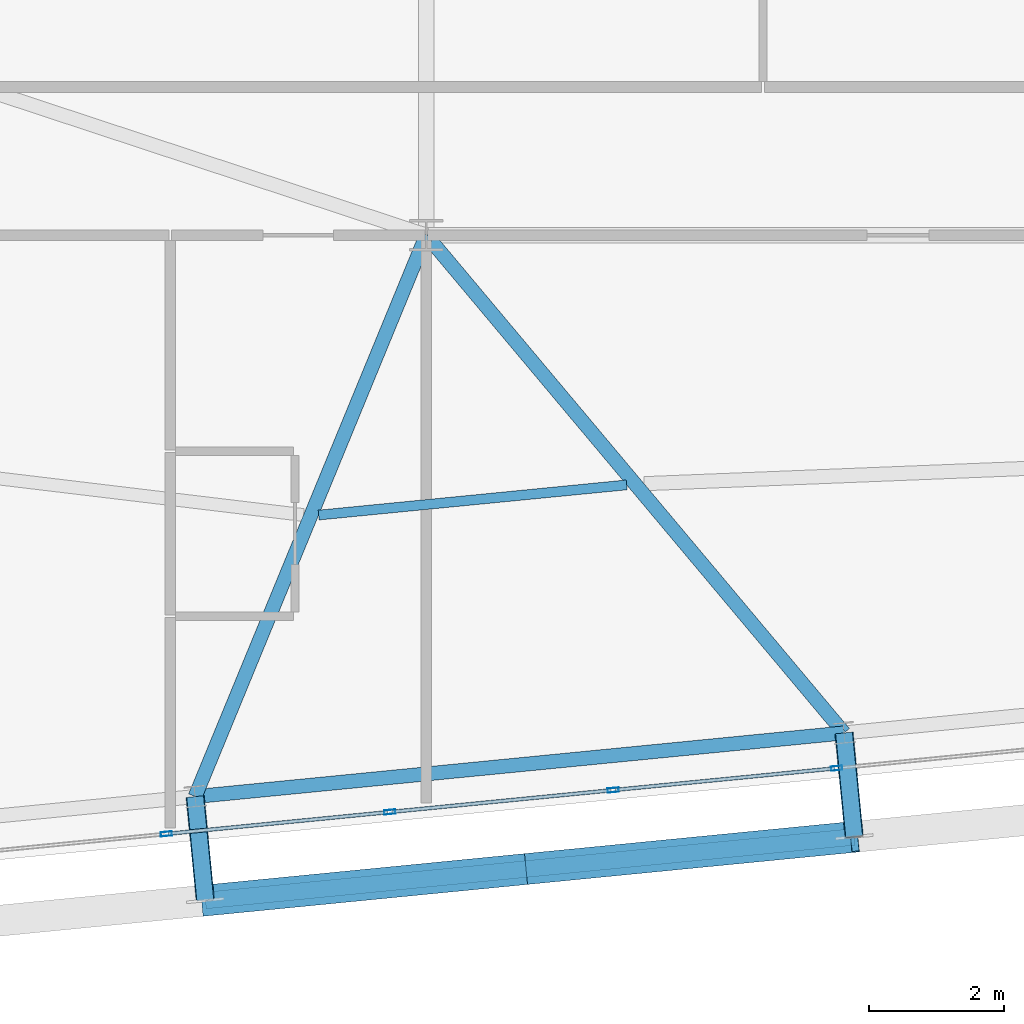
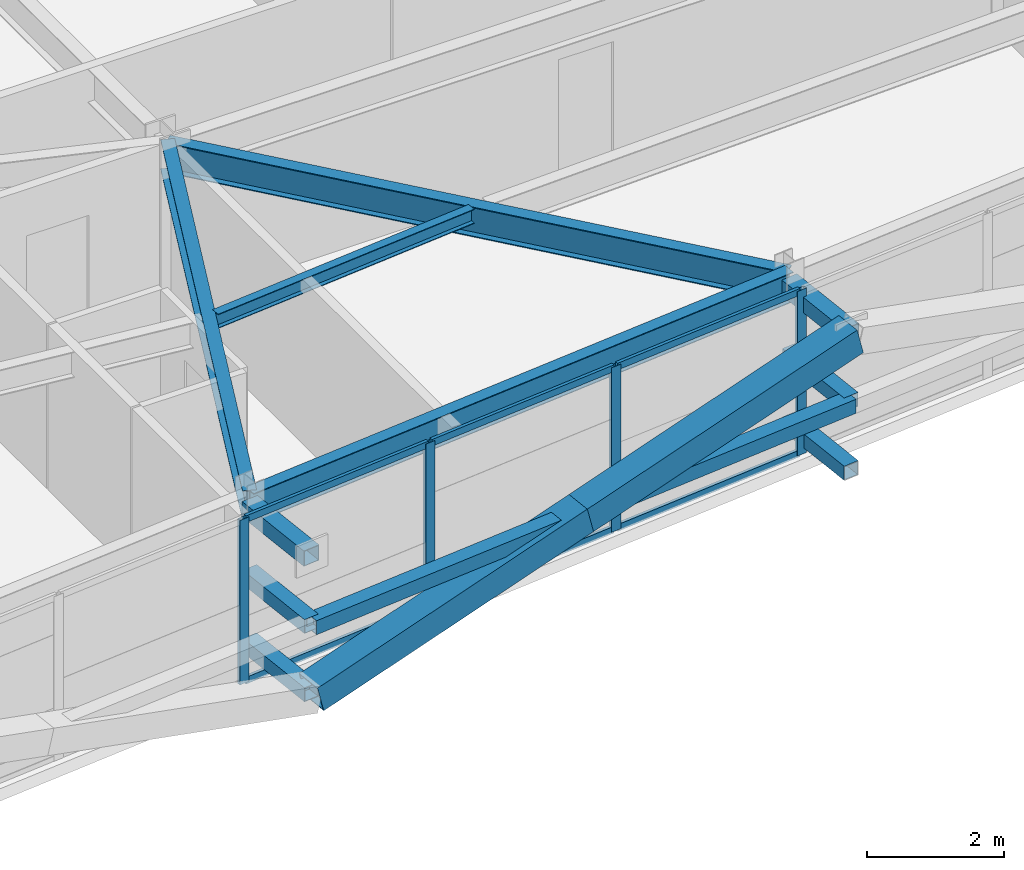
# One storey, part 10 of 53: 19 members, 4 beams, 1 element without a shape of its own.
"""IFC4 building model written with IfcOpenShell, lengths in metres."""

from ifc_helpers import new_model, si_unit, direction, frame, origin, origin_2d, place, context, subcontext, project, spatial, hollow_rectangle, i_section, extrude, source, transform, mapped, material, layer, layer_set, material_profile, profile_set, type_object, element, aggregate, save


model = new_model("IFC4")

# Units and contexts
model_context = context("Model", 3, precision=1e-05, world=origin(), true_north=direction((0.0, 1.0)))
body_context = subcontext(model_context, "Body", "Model", "MODEL_VIEW")
ifc_project = project(units=[si_unit("LENGTHUNIT", "METRE"), si_unit("AREAUNIT", "SQUARE_METRE"), si_unit("VOLUMEUNIT", "CUBIC_METRE"), si_unit("PLANEANGLEUNIT", "RADIAN"), si_unit("MASSUNIT", "GRAM", prefix="KILO")], contexts=[model_context])

# Site, building, storey
site_placement = place(None, origin())
site = spatial("IfcSite", under=ifc_project, at=site_placement, CompositionType="ELEMENT")
building_placement = place(site_placement, origin())
building = spatial("IfcBuilding", under=site, at=building_placement, Name="Taldren Reach Tower", CompositionType="ELEMENT")
storey_placement = place(building_placement, frame((0.0, 0.0, 84.0)))
storey = spatial("IfcBuildingStorey", under=building, at=storey_placement, Name="L25", CompositionType="ELEMENT", Elevation=84.0)

# Beams
ifc_material_1 = material(Name="Steel Gr 350 (350PLUS)", Category="steel")
ifc_material_profile_1 = material_profile(ifc_material_1, i_section(OverallWidth=0.208984375, OverallDepth=0.528076171875, WebThickness=0.009521484375, FlangeThickness=0.01318359375, at=origin_2d()), Name="530UB82.0")
ifc_profile_set_1 = profile_set([ifc_material_profile_1], Name="Steel Gr 350 (350PLUS)")
beam_type_1 = type_object("IfcBeamType", Name="SP-UB530B", PredefinedType="SPANDREL", material=ifc_profile_set_1)
shared_shape_1 = source(origin(), body_context, "Body", "SweptSolid", [
    extrude(i_section(OverallWidth=0.208984375, OverallDepth=0.528076171875, WebThickness=0.009521484375, FlangeThickness=0.01318359375, at=origin_2d()), origin(), (0.0, 0.0, 1.0), 9.679931640625),
])
beam_1_placement = place(storey_placement, frame((24.56787109375, 0.86474609375, 2.666015625), z_axis=(0.995227612658, 0.097580730699, 0.0), x_axis=(-0.097580730699, 0.995227612658, 0.0)))
element("IfcBeam", 1, at=beam_1_placement, inside=storey, type_object=beam_type_1, Name="Perimeter spandrel B2 S2-S3 L25", PredefinedType="SPANDREL", context=body_context, shape_type="MappedRepresentation", body=[
    mapped(shared_shape_1, transform((0.0, 0.0, 0.0), scale=1.0)),
])
ifc_material_profile_2 = material_profile(ifc_material_1, i_section(OverallWidth=0.208984375, OverallDepth=0.532958984375, WebThickness=0.01025390625, FlangeThickness=0.015625, at=origin_2d()), Name="530UB92.4")
ifc_profile_set_2 = profile_set([ifc_material_profile_2], Name="Steel Gr 350 (350PLUS)")
beam_type_2 = type_object("IfcBeamType", Name="BM-UB530A", PredefinedType="BEAM", material=ifc_profile_set_2)
shared_shape_2 = source(origin(), body_context, "Body", "SweptSolid", [
    extrude(i_section(OverallWidth=0.208984375, OverallDepth=0.532958984375, WebThickness=0.01025390625, FlangeThickness=0.015625, at=origin_2d()), origin(), (0.0, 0.0, 1.0), 9.01416015625),
])
beam_2_placement = place(storey_placement, frame((28.0, 9.199951171875, 2.66357421875), z_axis=(-0.380748443035, -0.924678659387, 0.0), x_axis=(0.924678659387, -0.380748443035, 0.0)))
element("IfcBeam", 2, at=beam_2_placement, inside=storey, type_object=beam_type_2, Name="Primary floor girder B2-S2 L25", PredefinedType="BEAM", context=body_context, shape_type="MappedRepresentation", body=[
    mapped(shared_shape_2, transform((0.0, 0.0, 0.0), scale=1.0)),
])
shared_shape_3 = source(origin(), body_context, "Body", "SweptSolid", [
    extrude(i_section(OverallWidth=0.208984375, OverallDepth=0.532958984375, WebThickness=0.01025390625, FlangeThickness=0.015625, at=origin_2d()), origin(), (0.0, 0.0, 1.0), 9.64794921875),
])
beam_3_placement = place(storey_placement, frame((28.0, 9.199951171875, 2.66357421875), z_axis=(0.642799132398, -0.766034774268, 0.0), x_axis=(0.766034774268, 0.642799132398, 0.0)))
element("IfcBeam", 3, at=beam_3_placement, inside=storey, type_object=beam_type_2, Name="Primary floor girder B2-S3 L25", PredefinedType="BEAM", context=body_context, shape_type="MappedRepresentation", body=[
    mapped(shared_shape_3, transform((0.0, 0.0, 0.0), scale=1.0)),
])
ifc_material_2 = material(Name="Steel Gr 300 (300PLUS, 300 MPa)", Category="steel")
ifc_material_profile_3 = material_profile(ifc_material_2, i_section(OverallWidth=0.14599609375, OverallDepth=0.256103515625, WebThickness=0.00634765625, FlangeThickness=0.010986328125, at=origin_2d()), Name="250UB37.3")
ifc_profile_set_3 = profile_set([ifc_material_profile_3], Name="Steel Gr 300 (300PLUS, 300 MPa)")
beam_type_3 = type_object("IfcBeamType", Name="JS-UB250", PredefinedType="JOIST", material=ifc_profile_set_3)
shared_shape_4 = source(origin(), body_context, "Body", "SweptSolid", [
    extrude(i_section(OverallWidth=0.14599609375, OverallDepth=0.256103515625, WebThickness=0.00634765625, FlangeThickness=0.010986328125, at=origin_2d()), origin(), (0.0, 0.0, 1.0), 4.594970703125),
])
beam_4_placement = place(storey_placement, frame((26.40185546875, 5.0439453125, 2.802001953125), z_axis=(0.995230447096, 0.097551817888, 0.0), x_axis=(-0.097551817888, 0.995230447096, 0.0)))
element("IfcBeam", 4, at=beam_4_placement, inside=storey, type_object=beam_type_3, Name="Secondary floor joist B2 J2 L25", PredefinedType="JOIST", context=body_context, shape_type="MappedRepresentation", body=[
    mapped(shared_shape_4, transform((0.0, 0.0, 0.0), scale=1.0)),
])

# Members
ifc_material_3 = material(Name="Steel Gr 450 (C450L0)", Category="steel")
ifc_material_profile_4 = material_profile(ifc_material_3, hollow_rectangle(XDim=0.27490234375, YDim=0.27490234375, WallThickness=0.00927734375, at=origin_2d()), Name="275x275x9.3SHS")
ifc_profile_set_4 = profile_set([ifc_material_profile_4], Name="Steel Gr 450 (C450L0)")
member_type_1 = type_object("IfcMemberType", Name="MB-TIE273", PredefinedType="STRUT", material=ifc_profile_set_4)
shared_shape_5 = source(origin(), body_context, "Body", "SweptSolid", [
    extrude(hollow_rectangle(XDim=0.27490234375, YDim=0.27490234375, WallThickness=0.00927734375, at=origin_2d()), origin(), (0.0, 0.0, 1.0), 1.550048828125),
])
for number, where, z_axis, x_axis, name in (
    (5, (24.56787109375, 0.86474609375, 2.64990234375), (0.097647892962, -0.9952210252, 0.0), (0.9952210252, 0.097647892962, 0.0), "Exoskeleton diaphragm tie strut B2-S2 L25"),
    (6, (34.20166015625, 1.809326171875, 2.64990234375), (0.097647892962, -0.9952210252, 0.0), (0.9952210252, 0.097647892962, 0.0), "Exoskeleton diaphragm tie strut B2-S3 L25"),
):
    element("IfcMember", number, at=place(storey_placement, frame(where, z_axis=z_axis, x_axis=x_axis)), inside=storey, type_object=member_type_1, Name=name, PredefinedType="STRUT", context=body_context, shape_type="MappedRepresentation", body=[
        mapped(shared_shape_5, transform((0.0, 0.0, 0.0), scale=1.0)),
    ])
ifc_material_profile_5 = material_profile(ifc_material_3, hollow_rectangle(XDim=0.4599609375, YDim=0.4599609375, WallThickness=0.01611328125, at=origin_2d()), Name="460x460x16.0SHS")
ifc_profile_set_5 = profile_set([ifc_material_profile_5], Name="Steel Gr 450 (C450L0)")
member_type_2 = type_object("IfcMemberType", Name="MB-EXO457", PredefinedType="BRACE", material=ifc_profile_set_5)
shared_shape_6 = source(origin(), body_context, "Body", "SweptSolid", [
    extrude(hollow_rectangle(XDim=0.4599609375, YDim=0.4599609375, WallThickness=0.01611328125, at=origin_2d()), origin(), (0.0, 0.0, 1.0), 4.990234375),
])
for number, where, z_axis, x_axis, name in (
    (7, (24.71923828125, -0.677978515625, 0.219970703125), (0.965271056716, 0.094667992638, 0.243494883389), (-0.097605711627, 0.995225162995, 0.0), "Exoskeleton Diagrid Brace B2-S2 L25"),
    (8, (29.5361328125, -0.20556640625, 1.43505859375), (0.965287024526, 0.094620633828, 0.24344998652), (-0.097555749586, 0.995230061706, 0.0), "Exoskeleton Diagrid Brace B2-S2 L25"),
):
    element("IfcMember", number, at=place(storey_placement, frame(where, z_axis=z_axis, x_axis=x_axis)), inside=storey, type_object=member_type_2, Name=name, PredefinedType="BRACE", context=body_context, shape_type="MappedRepresentation", body=[
        mapped(shared_shape_6, transform((0.0, 0.0, 0.0), scale=1.0)),
    ])
ifc_material_4 = material(Name="Steel Gr 350 (C350L0)", Category="steel")
ifc_material_profile_6 = material_profile(ifc_material_4, hollow_rectangle(XDim=0.25, YDim=0.25, WallThickness=0.010009765625, at=origin_2d()), Name="250x250x10.0SHS")
ifc_profile_set_6 = profile_set([ifc_material_profile_6], Name="Steel Gr 350 (C350L0)")
member_type_3 = type_object("IfcMemberType", Name="MB-POST250", PredefinedType="POST", material=ifc_profile_set_6)
shared_shape_7 = source(origin(), body_context, "Body", "SweptSolid", [
    extrude(hollow_rectangle(XDim=0.25, YDim=0.25, WallThickness=0.010009765625, at=origin_2d()), origin(), (0.0, 0.0, 1.0), 9.679931640625),
])
member_1_placement = place(storey_placement, frame((24.71923828125, -0.677978515625, 1.43505859375), z_axis=(0.995227612658, 0.097580730699, 0.0), x_axis=(-0.097580730699, 0.995227612658, 0.0)))
element("IfcMember", 9, at=member_1_placement, inside=storey, type_object=member_type_3, Name="Exoskeleton mid-height ring chord B2-S2 L25", PredefinedType="POST", context=body_context, shape_type="MappedRepresentation", body=[
    mapped(shared_shape_7, transform((0.0, 0.0, 0.0), scale=1.0)),
])
shared_shape_8 = source(origin(), body_context, "Body", "SweptSolid", [
    extrude(hollow_rectangle(XDim=0.25, YDim=0.25, WallThickness=0.010009765625, at=origin_2d()), origin(), (0.0, 0.0, 1.0), 1.550048828125),
])
for number, where, z_axis, x_axis, name in (
    (10, (24.56787109375, 0.86474609375, 0.219970703125), (0.097647892962, -0.9952210252, 0.0), (0.9952210252, 0.097647892962, 0.0), "Exoskeleton base diaphragm tie strut B2-S2 L25"),
    (11, (34.20166015625, 1.809326171875, 0.219970703125), (0.097647892962, -0.9952210252, 0.0), (0.9952210252, 0.097647892962, 0.0), "Exoskeleton base diaphragm tie strut B2-S3 L25"),
    (12, (24.56787109375, 0.86474609375, 1.43505859375), (0.097647892962, -0.9952210252, 0.0), (0.9952210252, 0.097647892962, 0.0), "Exoskeleton mid-tier diaphragm tie B2-S2 L25"),
    (13, (34.20166015625, 1.809326171875, 1.43505859375), (0.097647892962, -0.9952210252, 0.0), (0.9952210252, 0.097647892962, 0.0), "Exoskeleton mid-tier diaphragm tie B2-S3 L25"),
):
    element("IfcMember", number, at=place(storey_placement, frame(where, z_axis=z_axis, x_axis=x_axis)), inside=storey, type_object=member_type_3, Name=name, PredefinedType="POST", context=body_context, shape_type="MappedRepresentation", body=[
        mapped(shared_shape_8, transform((0.0, 0.0, 0.0), scale=1.0)),
    ])

# Curtain wall, members
ifc_material_5 = material(Name="Aluminium and Low-E Glass Unitised System", Category="aluminium")
ifc_layer = layer(ifc_material_5, 0.159912109375)
ifc_layer_set = layer_set([ifc_layer], Name="Aluminium and Low-E Glass Unitised System")
curtain_wall_type = type_object("IfcCurtainWallType", Name="CW-SYS-3", PredefinedType="NOTDEFINED", material=ifc_layer_set)
curtain_wall_placement = place(storey_placement, origin())
curtain_wall = element("IfcCurtainWall", 14, at=curtain_wall_placement, inside=storey, type_object=curtain_wall_type, Name="Unitised curtain wall CW-L25-S", PredefinedType="NOTDEFINED")
ifc_material_6 = material(Name="Anodised Aluminium 6063-T6", Category="aluminium")
ifc_material_profile_7 = material_profile(ifc_material_6, hollow_rectangle(XDim=0.06494140625, YDim=0.1650390625, WallThickness=0.00390625, at=origin_2d()), Name="ALU-165x65x4RHS")
ifc_profile_set_7 = profile_set([ifc_material_profile_7], Name="Anodised Aluminium 6063-T6")
member_type_4 = type_object("IfcMemberType", Name="CW-MUL-165", PredefinedType="MULLION", material=ifc_profile_set_7)
shared_shape_9 = source(origin(), body_context, "Body", "SweptSolid", [
    extrude(hollow_rectangle(XDim=0.06494140625, YDim=0.1650390625, WallThickness=0.00390625, at=origin_2d()), origin(), (0.0, 0.0, 1.0), 2.929931640625),
])
member_2_placement = place(storey_placement, frame((24.14013671875, 0.310302734375, 0.0), z_axis=(0.0, 0.0, 1.0), x_axis=(-0.097582999046, 0.995227390247, 0.0)))
member_2 = element("IfcMember", 15, at=member_2_placement, type_object=member_type_4, Name="CW-3 mullion 4", PredefinedType="MULLION", context=body_context, shape_type="MappedRepresentation", body=[
    mapped(shared_shape_9, transform((0.0, 0.0, 0.0), scale=1.0)),
])
member_3_placement = place(storey_placement, frame((27.45751953125, 0.635498046875, 0.0), z_axis=(0.0, 0.0, 1.0), x_axis=(-0.097582999046, 0.995227390247, 0.0)))
member_3 = element("IfcMember", 16, at=member_3_placement, type_object=member_type_4, Name="CW-3 mullion 5", PredefinedType="MULLION", context=body_context, shape_type="MappedRepresentation", body=[
    mapped(shared_shape_9, transform((0.0, 0.0, 0.0), scale=1.0)),
])
member_4_placement = place(storey_placement, frame((30.77490234375, 0.9609375, 0.0), z_axis=(0.0, 0.0, 1.0), x_axis=(-0.097582999046, 0.995227390247, 0.0)))
member_4 = element("IfcMember", 17, at=member_4_placement, type_object=member_type_4, Name="CW-3 mullion 6", PredefinedType="MULLION", context=body_context, shape_type="MappedRepresentation", body=[
    mapped(shared_shape_9, transform((0.0, 0.0, 0.0), scale=1.0)),
])
member_5_placement = place(storey_placement, frame((34.09228515625, 1.2861328125, 0.0), z_axis=(0.0, 0.0, 1.0), x_axis=(-0.097582999046, 0.995227390247, 0.0)))
member_5 = element("IfcMember", 18, at=member_5_placement, type_object=member_type_4, Name="CW-3 mullion 7", PredefinedType="MULLION", context=body_context, shape_type="MappedRepresentation", body=[
    mapped(shared_shape_9, transform((0.0, 0.0, 0.0), scale=1.0)),
])
ifc_material_profile_8 = material_profile(ifc_material_6, hollow_rectangle(XDim=0.054931640625, YDim=0.1201171875, WallThickness=0.0029296875, at=origin_2d()), Name="ALU-120x55x3RHS")
ifc_profile_set_8 = profile_set([ifc_material_profile_8], Name="Anodised Aluminium 6063-T6")
member_type_5 = type_object("IfcMemberType", Name="CW-TRN-135", PredefinedType="USERDEFINED", material=ifc_profile_set_8)
shared_shape_10 = source(origin(), body_context, "Body", "SweptSolid", [
    extrude(hollow_rectangle(XDim=0.054931640625, YDim=0.1201171875, WallThickness=0.0029296875, at=origin_2d()), origin(), (0.0, 0.0, 1.0), 3.268310546875),
])
member_6_placement = place(storey_placement, frame((24.17236328125, 0.3134765625, 0.027587890625), z_axis=(0.99522980512, 0.097558367146, 0.0), x_axis=(-0.097558367146, 0.99522980512, 0.0)))
member_6 = element("IfcMember", 19, at=member_6_placement, type_object=member_type_5, Name="CW-3 transom 4.1", ObjectType="TRANSOM", PredefinedType="USERDEFINED", context=body_context, shape_type="MappedRepresentation", body=[
    mapped(shared_shape_10, transform((0.0, 0.0, 0.0), scale=1.0)),
])
member_7_placement = place(storey_placement, frame((24.17236328125, 0.3134765625, 2.902587890625), z_axis=(0.99522980512, 0.097558367146, 0.0), x_axis=(-0.097558367146, 0.99522980512, 0.0)))
member_7 = element("IfcMember", 20, at=member_7_placement, type_object=member_type_5, Name="CW-3 transom 4.2", ObjectType="TRANSOM", PredefinedType="USERDEFINED", context=body_context, shape_type="MappedRepresentation", body=[
    mapped(shared_shape_10, transform((0.0, 0.0, 0.0), scale=1.0)),
])
member_8_placement = place(storey_placement, frame((27.48974609375, 0.638671875, 0.027587890625), z_axis=(0.995222549564, 0.097632355496, 0.0), x_axis=(-0.097632355496, 0.995222549564, 0.0)))
member_8 = element("IfcMember", 21, at=member_8_placement, type_object=member_type_5, Name="CW-3 transom 5.1", ObjectType="TRANSOM", PredefinedType="USERDEFINED", context=body_context, shape_type="MappedRepresentation", body=[
    mapped(shared_shape_10, transform((0.0, 0.0, 0.0), scale=1.0)),
])
member_9_placement = place(storey_placement, frame((27.48974609375, 0.638671875, 2.902587890625), z_axis=(0.995222549564, 0.097632355496, 0.0), x_axis=(-0.097632355496, 0.995222549564, 0.0)))
member_9 = element("IfcMember", 22, at=member_9_placement, type_object=member_type_5, Name="CW-3 transom 5.2", ObjectType="TRANSOM", PredefinedType="USERDEFINED", context=body_context, shape_type="MappedRepresentation", body=[
    mapped(shared_shape_10, transform((0.0, 0.0, 0.0), scale=1.0)),
])
shared_shape_11 = source(origin(), body_context, "Body", "SweptSolid", [
    extrude(hollow_rectangle(XDim=0.054931640625, YDim=0.1201171875, WallThickness=0.0029296875, at=origin_2d()), origin(), (0.0, 0.0, 1.0), 3.2685546875),
])
member_10_placement = place(storey_placement, frame((30.80712890625, 0.964111328125, 0.027587890625), z_axis=(0.99523051601, 0.097551114824, 0.0), x_axis=(-0.097551114824, 0.99523051601, 0.0)))
member_10 = element("IfcMember", 23, at=member_10_placement, type_object=member_type_5, Name="CW-3 transom 6.1", ObjectType="TRANSOM", PredefinedType="USERDEFINED", context=body_context, shape_type="MappedRepresentation", body=[
    mapped(shared_shape_11, transform((0.0, 0.0, 0.0), scale=1.0)),
])
member_11_placement = place(storey_placement, frame((30.80712890625, 0.964111328125, 2.902587890625), z_axis=(0.99523051601, 0.097551114824, 0.0), x_axis=(-0.097551114824, 0.99523051601, 0.0)))
member_11 = element("IfcMember", 24, at=member_11_placement, type_object=member_type_5, Name="CW-3 transom 6.2", ObjectType="TRANSOM", PredefinedType="USERDEFINED", context=body_context, shape_type="MappedRepresentation", body=[
    mapped(shared_shape_11, transform((0.0, 0.0, 0.0), scale=1.0)),
])
aggregate(curtain_wall, [member_2, member_3, member_4, member_5, member_6, member_7, member_8, member_9, member_10, member_11])

save(model, "model.ifc")
